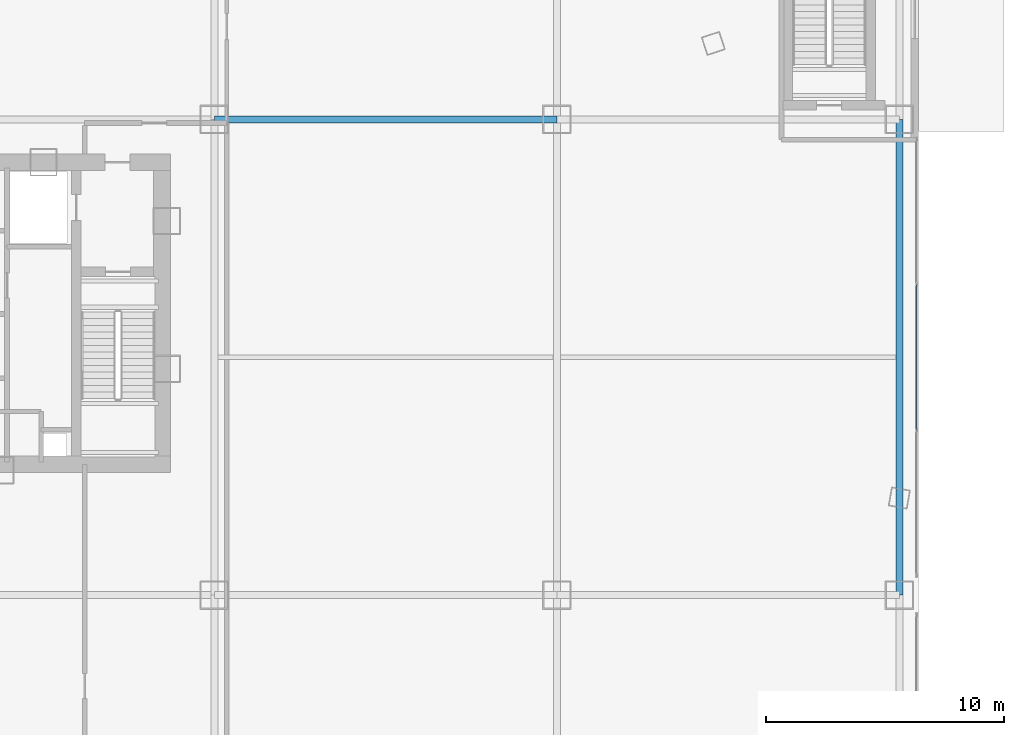
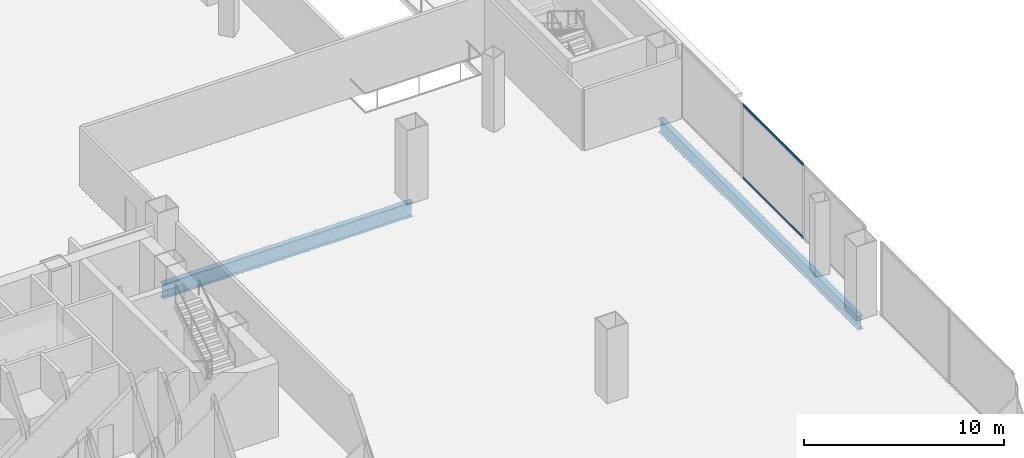
# One storey, part 24 of 58: 2 beams, 2 members, 1 element without a shape of its own.
"""IFC4 building model written with IfcOpenShell, lengths in metres."""

from ifc_helpers import new_model, si_unit, direction, frame, origin, origin_2d, place, context, subcontext, project, spatial, hollow_rectangle, i_section, extrude, source, transform, mapped, material, layer, layer_set, material_profile, profile_set, type_object, element, aggregate, save


model = new_model("IFC4")

# Units and contexts
model_context = context("Model", 3, precision=1e-05, world=origin(), true_north=direction((0.0, 1.0)))
body_context = subcontext(model_context, "Body", "Model", "MODEL_VIEW")
ifc_project = project(units=[si_unit("LENGTHUNIT", "METRE"), si_unit("AREAUNIT", "SQUARE_METRE"), si_unit("VOLUMEUNIT", "CUBIC_METRE"), si_unit("PLANEANGLEUNIT", "RADIAN"), si_unit("MASSUNIT", "GRAM", prefix="KILO"), si_unit("THERMODYNAMICTEMPERATUREUNIT", "KELVIN"), si_unit("POWERUNIT", "WATT")], contexts=[model_context])

# Site, building, storey
site_placement = place(None, origin())
site = spatial("IfcSite", under=ifc_project, at=site_placement, CompositionType="ELEMENT")
building_placement = place(site_placement, origin())
building = spatial("IfcBuilding", under=site, at=building_placement, Name="Yunzhuo Pagoda Commons", CompositionType="ELEMENT")
storey_placement = place(building_placement, origin())
storey = spatial("IfcBuildingStorey", under=building, at=storey_placement, Name="L01", CompositionType="ELEMENT", Elevation=0.0)

# Beams
ifc_material_1 = material(Name="Structural steel Q355B", Category="steel")
ifc_material_profile_1 = material_profile(ifc_material_1, i_section(OverallWidth=0.300048828125, OverallDepth=0.89990234375, WebThickness=0.01611328125, FlangeThickness=0.028076171875, at=origin_2d()), Name="Structural steel Q355B")
ifc_profile_set_1 = profile_set([ifc_material_profile_1], Name="Structural steel Q355B")
beam_type_1 = type_object("IfcBeamType", Name="B-PD1 Beam HN 900x300x16x28", PredefinedType="BEAM", material=ifc_profile_set_1)
shared_shape_1 = source(origin(), body_context, "Body", "SweptSolid", [
    extrude(i_section(OverallWidth=0.300048828125, OverallDepth=0.89990234375, WebThickness=0.01611328125, FlangeThickness=0.028076171875, at=origin_2d()), origin(), (0.0, 0.0, 1.0), 14.400146484375),
])
beam_1_placement = place(storey_placement, frame((62.39990234375, 42.0, -0.729736328125), z_axis=(1.0, 0.0, 0.0), x_axis=(0.0, 1.0, 0.0)))
element("IfcBeam", 1, at=beam_1_placement, inside=storey, type_object=beam_type_1, Name="L01 podium girder EW 3.4", PredefinedType="BEAM", context=body_context, shape_type="MappedRepresentation", body=[
    mapped(shared_shape_1, transform((0.0, 0.0, 0.0), scale=1.0)),
])
ifc_material_profile_2 = material_profile(ifc_material_1, i_section(OverallWidth=0.300048828125, OverallDepth=0.800048828125, WebThickness=0.013916015625, FlangeThickness=0.02587890625, at=origin_2d()), Name="Structural steel Q355B")
ifc_profile_set_2 = profile_set([ifc_material_profile_2], Name="Structural steel Q355B")
beam_type_2 = type_object("IfcBeamType", Name="B-PD2 Beam HN 800x300x14x26", PredefinedType="BEAM", material=ifc_profile_set_2)
shared_shape_2 = source(origin(), body_context, "Body", "SweptSolid", [
    extrude(i_section(OverallWidth=0.300048828125, OverallDepth=0.800048828125, WebThickness=0.013916015625, FlangeThickness=0.02587890625, at=origin_2d()), origin(), (0.0, 0.0, 1.0), 20.0),
])
beam_2_placement = place(storey_placement, frame((91.199951171875, 22.0, -0.679931640625), z_axis=(0.0, 1.0, 0.0), x_axis=(-1.0, 0.0, 0.0)))
element("IfcBeam", 2, at=beam_2_placement, inside=storey, type_object=beam_type_2, Name="L01 podium girder NS 6.2", PredefinedType="BEAM", context=body_context, shape_type="MappedRepresentation", body=[
    mapped(shared_shape_2, transform((0.0, 0.0, 0.0), scale=1.0)),
])

# Curtain wall, members
ifc_material_2 = material(Name="Anodized aluminium 6063-T6", Category="aluminium")
ifc_layer = layer(ifc_material_2, 0.179931640625)
ifc_layer_set = layer_set([ifc_layer], Name="Anodized aluminium 6063-T6")
curtain_wall_type = type_object("IfcCurtainWallType", Name="CW-POD Waterfront Podium Curtain Wall", PredefinedType="NOTDEFINED", material=ifc_layer_set)
curtain_wall_placement = place(storey_placement, origin())
curtain_wall = element("IfcCurtainWall", 3, at=curtain_wall_placement, inside=storey, type_object=curtain_wall_type, Name="L01 curtain wall CW-L01-E2", PredefinedType="NOTDEFINED")
ifc_material_profile_3 = material_profile(ifc_material_2, hollow_rectangle(XDim=0.06005859375, YDim=0.14990234375, WallThickness=0.00390625, at=origin_2d()), Name="Anodized aluminium 6063-T6")
ifc_profile_set_3 = profile_set([ifc_material_profile_3], Name="Anodized aluminium 6063-T6")
member_type = type_object("IfcMemberType", Name="CW-POD-T Transom RHS 150x60x4", PredefinedType="USERDEFINED", material=ifc_profile_set_3)
shared_shape_3 = source(origin(), body_context, "Body", "SweptSolid", [
    extrude(hollow_rectangle(XDim=0.06005859375, YDim=0.14990234375, WallThickness=0.00390625, at=origin_2d()), origin(), (0.0, 0.0, 1.0), 6.068359375),
])
member_1_placement = place(storey_placement, frame((91.919921875, 28.9658203125, 0.030029296875), z_axis=(0.0, 1.0, 0.0), x_axis=(-1.0, 0.0, 0.0)))
member_1 = element("IfcMember", 4, at=member_1_placement, type_object=member_type, Name="CW transom 2.1", ObjectType="TRANSOM", PredefinedType="USERDEFINED", context=body_context, shape_type="MappedRepresentation", body=[
    mapped(shared_shape_3, transform((0.0, 0.0, 0.0), scale=1.0)),
])
member_2_placement = place(storey_placement, frame((91.919921875, 28.9658203125, 4.489990234375), z_axis=(0.0, 1.0, 0.0), x_axis=(-1.0, 0.0, 0.0)))
member_2 = element("IfcMember", 5, at=member_2_placement, type_object=member_type, Name="CW transom 2.2", ObjectType="TRANSOM", PredefinedType="USERDEFINED", context=body_context, shape_type="MappedRepresentation", body=[
    mapped(shared_shape_3, transform((0.0, 0.0, 0.0), scale=1.0)),
])
aggregate(curtain_wall, [member_1, member_2])

save(model, "model.ifc")
